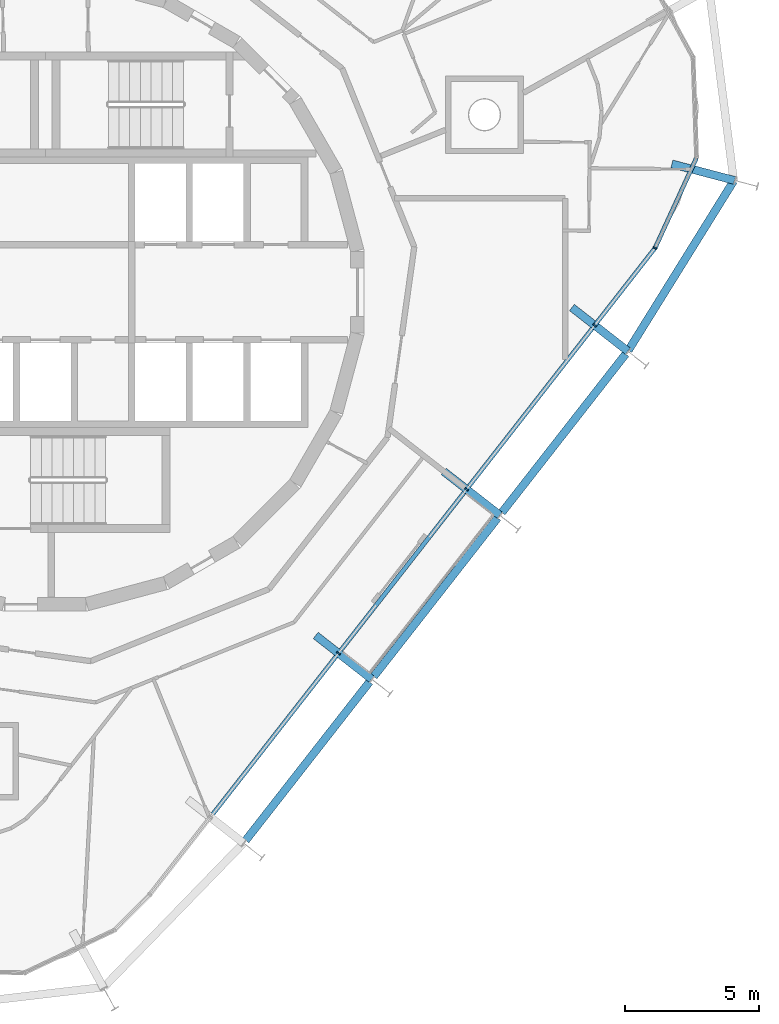
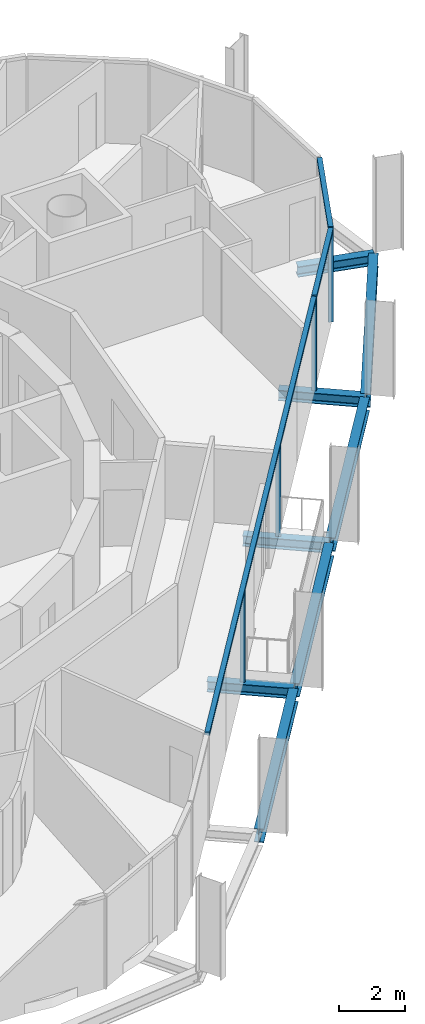
# One storey, part 4 of 15: 8 beams, 7 members, 2 elements without a shape of their own.
"""IFC4 building model written with IfcOpenShell, lengths in metres."""

from ifc_helpers import new_model, si_unit, direction, frame, origin, origin_2d, place, context, subcontext, project, spatial, rectangle, i_section, extrude, material, layer, layer_set, material_profile, profile_set, type_object, element, aggregate, save


model = new_model("IFC4")

# Units and contexts
model_context = context("Model", 3, precision=1e-05, world=origin(), true_north=direction((0.0, 1.0)))
body_context = subcontext(model_context, "Body", "Model", "MODEL_VIEW")
ifc_project = project(units=[si_unit("LENGTHUNIT", "METRE"), si_unit("AREAUNIT", "SQUARE_METRE"), si_unit("VOLUMEUNIT", "CUBIC_METRE"), si_unit("PLANEANGLEUNIT", "RADIAN"), si_unit("MASSUNIT", "GRAM", prefix="KILO")], contexts=[model_context])

# Site, building, storey
site_placement = place(None, origin())
site = spatial("IfcSite", under=ifc_project, at=site_placement, CompositionType="ELEMENT")
building_placement = place(site_placement, origin())
building = spatial("IfcBuilding", under=site, at=building_placement, Name="Spindle Arch Residences", CompositionType="ELEMENT")
storey_placement = place(building_placement, frame((0.0, 0.0, 357.5)))
storey = spatial("IfcBuildingStorey", under=building, at=storey_placement, Name="L92", CompositionType="ELEMENT", Elevation=357.5)

# Curtain wall, members
ifc_material_1 = material(Name="Aluminium bronze unitised frame with tinted glass", Category="aluminium")
ifc_layer_1 = layer(ifc_material_1, 0.159912109375)
ifc_layer_set_1 = layer_set([ifc_layer_1], Name="CW-D corner wall on the fillet arcs")
curtain_wall_type_1 = type_object("IfcCurtainWallType", Name="CW-D corner wall on the fillet arcs", PredefinedType="NOTDEFINED", material=ifc_layer_set_1)
curtain_wall_1_placement = place(storey_placement, origin())
curtain_wall_1 = element("IfcCurtainWall", 1, at=curtain_wall_1_placement, inside=storey, type_object=curtain_wall_type_1, Name="CW-D L92 run 1", PredefinedType="NOTDEFINED")
ifc_material_2 = material(Name="Aluminium bronze anodised mullion", Category="aluminium")
ifc_material_profile_1 = material_profile(ifc_material_2, rectangle(XDim=0.159912109375, YDim=0.06005859375, at=origin_2d()), Name="MU 60x160")
ifc_profile_set_1 = profile_set([ifc_material_profile_1], Name="Aluminium bronze anodised mullion")
member_type_1 = type_object("IfcMemberType", Name="Bronze mullion 60x160", PredefinedType="MULLION", material=ifc_profile_set_1)
member_1_placement = place(storey_placement, frame((20.50341796875, -1.237060546875, -0.3798828125), z_axis=(0.0, 0.0, 1.0), x_axis=(-0.788010753607, 0.615661475326, 0.0)))
member_1 = element("IfcMember", 2, at=member_1_placement, type_object=member_type_1, Name="CW-D mullion 00", PredefinedType="MULLION", context=body_context, shape_type="SweptSolid", body=[
    extrude(rectangle(XDim=0.159912109375, YDim=0.06005859375, at=origin_2d()), origin(), (0.0, 0.0, 1.0), 3.3798828125),
])
member_2_placement = place(storey_placement, frame((22.7568359375, 1.647216796875, -0.3798828125), z_axis=(0.0, 0.0, 1.0), x_axis=(-0.908751129947, 0.417338452362, 0.0)))
member_2 = element("IfcMember", 3, at=member_2_placement, type_object=member_type_1, Name="CW-D mullion 01", PredefinedType="MULLION", context=body_context, shape_type="SweptSolid", body=[
    extrude(rectangle(XDim=0.159912109375, YDim=0.06005859375, at=origin_2d()), origin(), (0.0, 0.0, 1.0), 3.3798828125),
])

ifc_material_3 = material(Name="Aluminium bronze unitised frame with tinted glass", Category="aluminium")
ifc_layer_2 = layer(ifc_material_3, 0.159912109375)
ifc_layer_set_2 = layer_set([ifc_layer_2], Name="CW-C typical residential unitised wall")
curtain_wall_type_2 = type_object("IfcCurtainWallType", Name="CW-C typical residential unitised wall", PredefinedType="NOTDEFINED", material=ifc_layer_set_2)
curtain_wall_2_placement = place(storey_placement, origin())
curtain_wall_2 = element("IfcCurtainWall", 4, at=curtain_wall_2_placement, inside=storey, type_object=curtain_wall_type_2, Name="CW-C L92 run 6", PredefinedType="NOTDEFINED")
member_3_placement = place(storey_placement, frame((10.94140625, -13.4755859375, -0.3798828125), z_axis=(0.0, 0.0, 1.0), x_axis=(-0.788010753607, 0.615661475326, 0.0)))
member_3 = element("IfcMember", 5, at=member_3_placement, type_object=member_type_1, Name="CW-C mullion 19", PredefinedType="MULLION", context=body_context, shape_type="SweptSolid", body=[
    extrude(rectangle(XDim=0.159912109375, YDim=0.06005859375, at=origin_2d()), origin(), (0.0, 0.0, 1.0), 3.3798828125),
])
member_4_placement = place(storey_placement, frame((15.722412109375, -7.3564453125, -0.3798828125), z_axis=(0.0, 0.0, 1.0), x_axis=(-0.788010753607, 0.615661475326, 0.0)))
member_4 = element("IfcMember", 6, at=member_4_placement, type_object=member_type_1, Name="CW-C mullion 00", PredefinedType="MULLION", context=body_context, shape_type="SweptSolid", body=[
    extrude(rectangle(XDim=0.159912109375, YDim=0.06005859375, at=origin_2d()), origin(), (0.0, 0.0, 1.0), 3.3798828125),
])

# Member
ifc_material_4 = material(Name="Aluminium bronze anodised transom", Category="aluminium")
ifc_material_profile_2 = material_profile(ifc_material_4, rectangle(XDim=0.159912109375, YDim=0.1201171875, at=origin_2d()), Name="TR 120x160")
ifc_profile_set_2 = profile_set([ifc_material_profile_2], Name="Aluminium bronze anodised transom")
member_type_2 = type_object("IfcMemberType", Name="Bronze transom 120x160", PredefinedType="USERDEFINED", material=ifc_profile_set_2)
member_5_placement = place(storey_placement, frame((20.521728515625, -1.21337890625, 3.06005859375), z_axis=(0.615647989673, 0.788021289568, 0.0), x_axis=(-0.788021289568, 0.615647989673, 0.0)))
member_5 = element("IfcMember", 7, at=member_5_placement, type_object=member_type_2, Name="CW-D transom 00", ObjectType="TRANSOM", PredefinedType="USERDEFINED", context=body_context, shape_type="SweptSolid", body=[
    extrude(rectangle(XDim=0.159912109375, YDim=0.1201171875, at=origin_2d()), origin(), (0.0, 0.0, 1.0), 3.600341796875),
])

member_6_placement = place(storey_placement, frame((22.769287109375, 1.674560546875, 3.06005859375), z_axis=(0.417326323855, 0.908756699792, 0.0), x_axis=(-0.908756699792, 0.417326323855, 0.0)))
member_6 = element("IfcMember", 8, at=member_6_placement, type_object=member_type_2, Name="CW-D transom 01", ObjectType="TRANSOM", PredefinedType="USERDEFINED", context=body_context, shape_type="SweptSolid", body=[
    extrude(rectangle(XDim=0.159912109375, YDim=0.1201171875, at=origin_2d()), origin(), (0.0, 0.0, 1.0), 3.666748046875),
])

aggregate(curtain_wall_1, [member_1, member_5, member_2, member_6])

member_7_placement = place(storey_placement, frame((6.178955078125, -19.571533203125, 3.06005859375), z_axis=(0.615655051857, 0.788015772128, 0.0), x_axis=(-0.788015772128, 0.615655051857, 0.0)))
member_7 = element("IfcMember", 9, at=member_7_placement, type_object=member_type_2, Name="CW-C transom 00", ObjectType="TRANSOM", PredefinedType="USERDEFINED", context=body_context, shape_type="SweptSolid", body=[
    extrude(rectangle(XDim=0.159912109375, YDim=0.1201171875, at=origin_2d()), origin(), (0.0, 0.0, 1.0), 23.23681640625),
])

aggregate(curtain_wall_2, [member_7, member_3, member_4])

# Beams
ifc_material_5 = material(Name="Steel S460ML, intumescent coating R 120", Category="steel")
ifc_material_profile_3 = material_profile(ifc_material_5, i_section(OverallWidth=0.300048828125, OverallDepth=0.5, WebThickness=0.014404296875, FlangeThickness=0.028076171875, FilletRadius=0.027099609375, at=origin_2d()), Name="HEB 500")
ifc_profile_set_3 = profile_set([ifc_material_profile_3], Name="Steel S460ML, intumescent coating R 120")
beam_type_1 = type_object("IfcBeamType", Name="Exoskeleton edge beam HEB 500", PredefinedType="BEAM", material=ifc_profile_set_3)
beam_1_placement = place(storey_placement, frame((17.03955078125, -8.220458984375, -0.6298828125), z_axis=(0.615652879069, 0.788017469663, 0.0), x_axis=(-0.788017469663, 0.615652879069, 0.0)))
element("IfcBeam", 10, at=beam_1_placement, inside=storey, type_object=beam_type_1, Name="Exoskeleton edge beam 1", PredefinedType="BEAM", context=body_context, shape_type="SweptSolid", body=[
    extrude(i_section(OverallWidth=0.300048828125, OverallDepth=0.5, WebThickness=0.014404296875, FlangeThickness=0.028076171875, FilletRadius=0.027099609375, at=origin_2d()), origin(), (0.0, 0.0, 1.0), 7.505615234375),
])
beam_2_placement = place(storey_placement, frame((21.760498046875, -2.17041015625, -0.6298828125), z_axis=(0.527890607505, 0.849312372751, 0.0), x_axis=(-0.849312372751, 0.527890607505, 0.0)))
element("IfcBeam", 11, at=beam_2_placement, inside=storey, type_object=beam_type_1, Name="Exoskeleton edge beam 2", PredefinedType="BEAM", context=body_context, shape_type="SweptSolid", body=[
    extrude(i_section(OverallWidth=0.300048828125, OverallDepth=0.5, WebThickness=0.014404296875, FlangeThickness=0.028076171875, FilletRadius=0.027099609375, at=origin_2d()), origin(), (0.0, 0.0, 1.0), 7.437744140625),
])
for number, where, z_axis, x_axis, name in (
    (12, (7.4775390625, -20.459228515625, -0.6298828125), (0.615673077274, 0.788001689034, 0.0), (-0.788001689034, 0.615673077274, 0.0), "Exoskeleton edge beam 19"),
    (13, (12.258544921875, -14.33984375, -0.6298828125), (0.615673077274, 0.788001689034, 0.0), (-0.788001689034, 0.615673077274, 0.0), "Exoskeleton edge beam 20"),
):
    element("IfcBeam", number, at=place(storey_placement, frame(where, z_axis=z_axis, x_axis=x_axis)), inside=storey, type_object=beam_type_1, Name=name, PredefinedType="BEAM", context=body_context, shape_type="SweptSolid", body=[
        extrude(i_section(OverallWidth=0.300048828125, OverallDepth=0.5, WebThickness=0.014404296875, FlangeThickness=0.028076171875, FilletRadius=0.027099609375, at=origin_2d()), origin(), (0.0, 0.0, 1.0), 7.505859375),
    ])
ifc_material_6 = material(Name="Steel S460ML, intumescent coating R 120", Category="steel")
ifc_material_profile_4 = material_profile(ifc_material_6, i_section(OverallWidth=0.300048828125, OverallDepth=0.389892578125, WebThickness=0.010986328125, FlangeThickness=0.01904296875, FilletRadius=0.027099609375, at=origin_2d()), Name="HEA 400")
ifc_profile_set_4 = profile_set([ifc_material_profile_4], Name="Steel S460ML, intumescent coating R 120")
beam_type_2 = type_object("IfcBeamType", Name="Floor outrigger HEA 400", PredefinedType="BEAM", material=ifc_profile_set_4)
beam_3_placement = place(storey_placement, frame((16.959716796875, -8.322998046875, -0.574951171875), z_axis=(-0.788015993799, 0.615654768127, 0.0), x_axis=(-0.615654768127, -0.788015993799, 0.0)))
element("IfcBeam", 14, at=beam_3_placement, inside=storey, type_object=beam_type_2, Name="Floor outrigger 1", PredefinedType="BEAM", context=body_context, shape_type="SweptSolid", body=[
    extrude(i_section(OverallWidth=0.300048828125, OverallDepth=0.389892578125, WebThickness=0.010986328125, FlangeThickness=0.01904296875, FilletRadius=0.027099609375, at=origin_2d()), origin(), (0.0, 0.0, 1.0), 2.650146484375),
])
beam_4_placement = place(storey_placement, frame((21.740478515625, -2.20361328125, -0.574951171875), z_axis=(-0.787981072726, 0.615699463233, 0.0), x_axis=(-0.615699463233, -0.787981072726, 0.0)))
element("IfcBeam", 15, at=beam_4_placement, inside=storey, type_object=beam_type_2, Name="Floor outrigger 2", PredefinedType="BEAM", context=body_context, shape_type="SweptSolid", body=[
    extrude(i_section(OverallWidth=0.300048828125, OverallDepth=0.389892578125, WebThickness=0.010986328125, FlangeThickness=0.01904296875, FilletRadius=0.027099609375, at=origin_2d()), origin(), (0.0, 0.0, 1.0), 2.64990234375),
])
beam_5_placement = place(storey_placement, frame((25.723388671875, 4.17138671875, -0.574951171875), z_axis=(-0.967207729223, 0.253986630616, 0.0), x_axis=(-0.253986630616, -0.967207729223, 0.0)))
element("IfcBeam", 16, at=beam_5_placement, inside=storey, type_object=beam_type_2, Name="Floor outrigger 3", PredefinedType="BEAM", context=body_context, shape_type="SweptSolid", body=[
    extrude(i_section(OverallWidth=0.300048828125, OverallDepth=0.389892578125, WebThickness=0.010986328125, FlangeThickness=0.01904296875, FilletRadius=0.027099609375, at=origin_2d()), origin(), (0.0, 0.0, 1.0), 2.41943359375),
])
beam_6_placement = place(storey_placement, frame((12.1787109375, -14.4423828125, -0.574951171875), z_axis=(-0.788015993799, 0.615654768127, 0.0), x_axis=(-0.615654768127, -0.788015993799, 0.0)))
element("IfcBeam", 17, at=beam_6_placement, inside=storey, type_object=beam_type_2, Name="Floor outrigger 20", PredefinedType="BEAM", context=body_context, shape_type="SweptSolid", body=[
    extrude(i_section(OverallWidth=0.300048828125, OverallDepth=0.389892578125, WebThickness=0.010986328125, FlangeThickness=0.01904296875, FilletRadius=0.027099609375, at=origin_2d()), origin(), (0.0, 0.0, 1.0), 2.650146484375),
])

save(model, "model.ifc")
